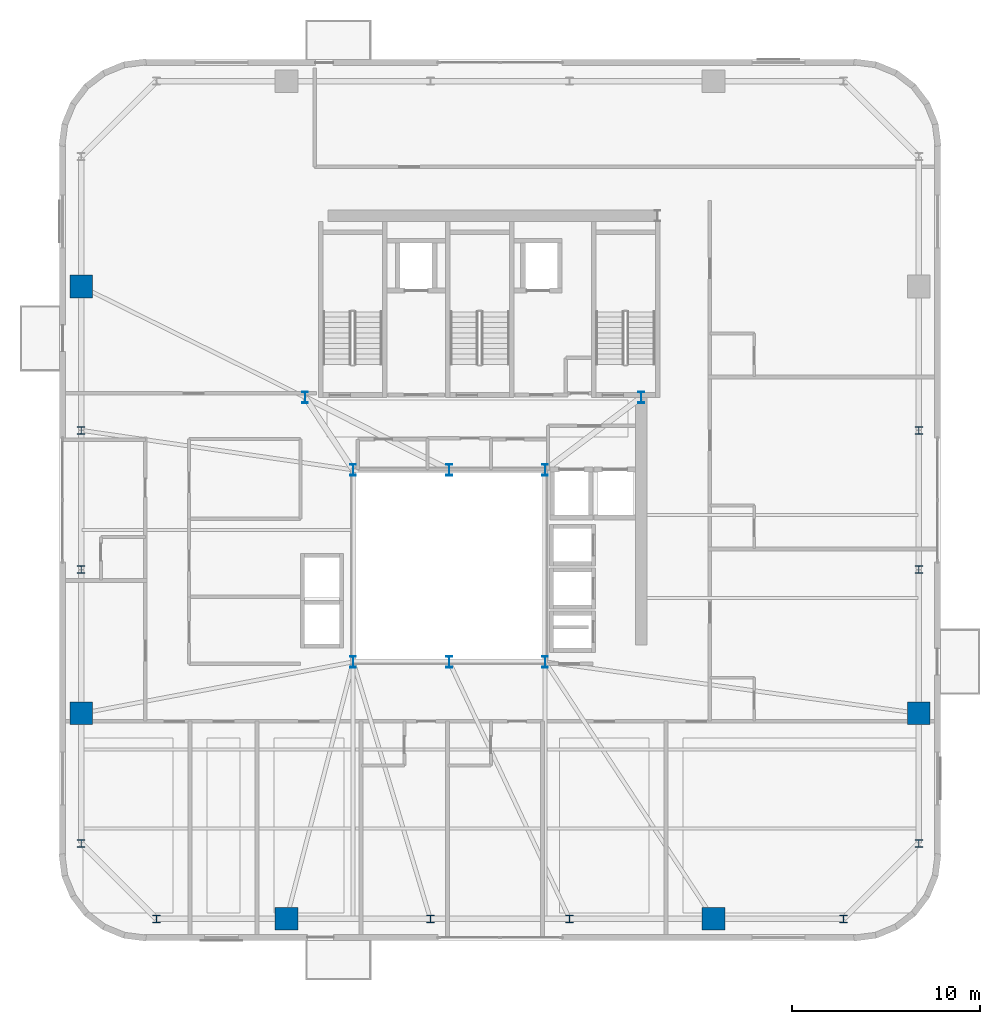
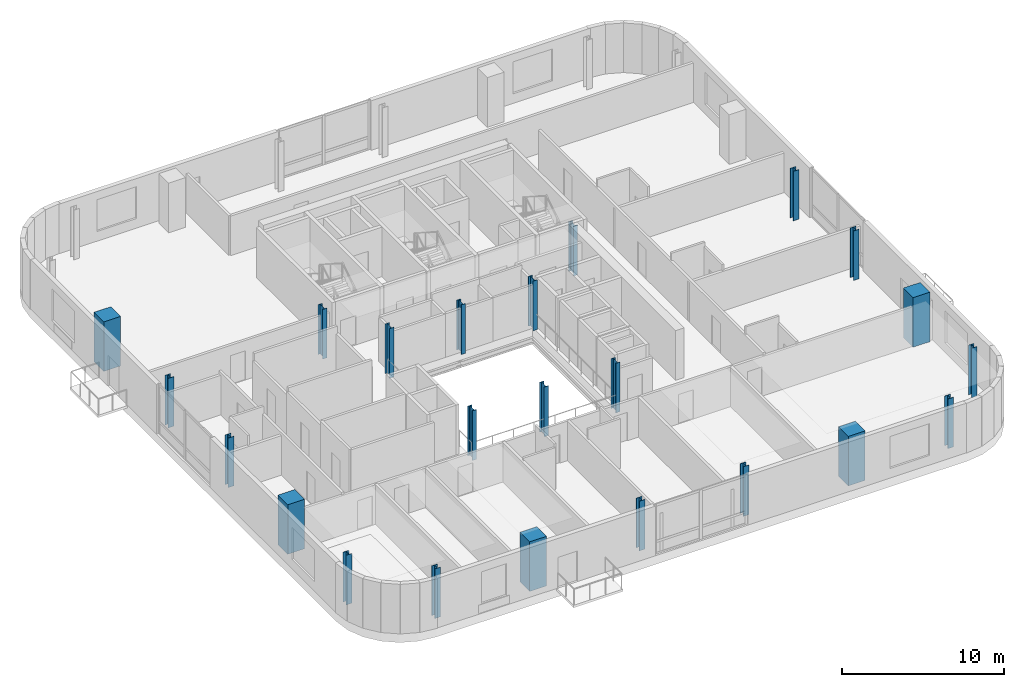
# One storey, part 1 of 15: 23 columns.
"""IFC4 building model written with IfcOpenShell, lengths in metres."""

from ifc_helpers import new_model, si_unit, direction, frame, origin, origin_2d, place, context, subcontext, project, spatial, rectangle, i_section, extrude, source, transform, mapped, material, material_profile, profile_set, type_object, element, save


model = new_model("IFC4")

# Units and contexts
model_context = context("Model", 3, precision=1e-05, world=origin(), true_north=direction((0.0, 1.0)))
body_context = subcontext(model_context, "Body", "Model", "MODEL_VIEW")
ifc_project = project(units=[si_unit("LENGTHUNIT", "METRE"), si_unit("AREAUNIT", "SQUARE_METRE"), si_unit("VOLUMEUNIT", "CUBIC_METRE"), si_unit("PLANEANGLEUNIT", "RADIAN"), si_unit("MASSUNIT", "GRAM", prefix="KILO")], contexts=[model_context])

# Site, building, storey
site_placement = place(None, origin())
site = spatial("IfcSite", under=ifc_project, at=site_placement, CompositionType="ELEMENT")
building_placement = place(site_placement, origin())
building = spatial("IfcBuilding", under=site, at=building_placement, Name="Vardaveli Station Tower", CompositionType="ELEMENT")
storey_placement = place(building_placement, frame((0.0, 0.0, 242.699951171875)))
storey = spatial("IfcBuildingStorey", under=building, at=storey_placement, Name="L62", CompositionType="ELEMENT", Elevation=242.699951171875)

# Columns
ifc_material_1 = material(Name="Structural steel S460M", Category="steel")
ifc_material_profile_1 = material_profile(ifc_material_1, i_section(OverallWidth=0.300048828125, OverallDepth=0.60009765625, WebThickness=0.015380859375, FlangeThickness=0.030029296875, FilletRadius=0.027099609375, at=origin_2d()), Name="HEB 600")
ifc_profile_set_1 = profile_set([ifc_material_profile_1], Name="Structural steel S460M")
column_type_1 = type_object("IfcColumnType", Name="COL-HEB600", PredefinedType="COLUMN", material=ifc_profile_set_1)
shared_shape_1 = source(origin(), body_context, "Body", "SweptSolid", [
    extrude(i_section(OverallWidth=0.300048828125, OverallDepth=0.60009765625, WebThickness=0.015380859375, FlangeThickness=0.030029296875, FilletRadius=0.027099609375, at=origin_2d()), origin(), (0.0, 0.0, 1.0), 3.72998046875),
])
for number, where, z_axis, x_axis, name in (
    (1, (31.199951171875, 16.60009765625, 0.0), (0.0, 0.0, 1.0), (1.0, 0.0, 0.0), "COL-L62-AC1"),
    (2, (36.300048828125, 16.60009765625, 0.0), (0.0, 0.0, 1.0), (1.0, 0.0, 0.0), "COL-L62-AC2"),
    (3, (41.39990234375, 16.60009765625, 0.0), (0.0, 0.0, 1.0), (1.0, 0.0, 0.0), "COL-L62-AC3"),
    (4, (41.39990234375, 26.800048828125, 0.0), (0.0, 0.0, 1.0), (1.0, 0.0, 0.0), "COL-L62-AC4"),
    (5, (36.300048828125, 26.800048828125, 0.0), (0.0, 0.0, 1.0), (1.0, 0.0, 0.0), "COL-L62-AC5"),
    (6, (31.199951171875, 26.800048828125, 0.0), (0.0, 0.0, 1.0), (1.0, 0.0, 0.0), "COL-L62-AC6"),
    (7, (28.64990234375, 30.64990234375, 0.0), (0.0, 0.0, 1.0), (1.0, 0.0, 0.0), "COL-L62-CC1"),
    (8, (46.5, 30.64990234375, 0.0), (0.0, 0.0, 1.0), (1.0, 0.0, 0.0), "COL-L62-CC2"),
):
    element("IfcColumn", number, at=place(storey_placement, frame(where, z_axis=z_axis, x_axis=x_axis)), inside=storey, type_object=column_type_1, Name=name, PredefinedType="COLUMN", context=body_context, shape_type="MappedRepresentation", body=[
        mapped(shared_shape_1, transform((0.0, 0.0, 0.0), scale=1.0)),
    ])
ifc_material_2 = material(Name="Concrete C50/60", Category="concrete")
ifc_material_profile_2 = material_profile(ifc_material_2, rectangle(XDim=1.199951171875, YDim=1.199951171875, at=origin_2d()), Name="MC 1200x1200")
ifc_profile_set_2 = profile_set([ifc_material_profile_2], Name="Concrete C50/60")
column_type_2 = type_object("IfcColumnType", Name="COL-MC-1200", PredefinedType="COLUMN", material=ifc_profile_set_2)
shared_shape_2 = source(origin(), body_context, "Body", "SweptSolid", [
    extrude(rectangle(XDim=1.199951171875, YDim=1.199951171875, at=origin_2d()), origin(), (0.0, 0.0, 1.0), 3.72998046875),
])
for number, where, z_axis, x_axis, name in (
    (9, (27.659912109375, 2.949951171875, 0.0), (0.0, 0.0, 1.0), (1.0, 0.0, 0.0), "COL-L62-MC1"),
    (10, (50.340087890625, 2.949951171875, 0.0), (0.0, 0.0, 1.0), (1.0, 0.0, 0.0), "COL-L62-MC2"),
    (11, (61.25, 13.860107421875, 0.0), (0.0, 0.0, 1.0), (1.0, 0.0, 0.0), "COL-L62-MC3"),
    (12, (16.75, 36.5400390625, 0.0), (0.0, 0.0, 1.0), (1.0, 0.0, 0.0), "COL-L62-MC7"),
    (13, (16.75, 13.860107421875, 0.0), (0.0, 0.0, 1.0), (1.0, 0.0, 0.0), "COL-L62-MC8"),
):
    element("IfcColumn", number, at=place(storey_placement, frame(where, z_axis=z_axis, x_axis=x_axis)), inside=storey, type_object=column_type_2, Name=name, PredefinedType="COLUMN", context=body_context, shape_type="MappedRepresentation", body=[
        mapped(shared_shape_2, transform((0.0, 0.0, 0.0), scale=1.0)),
    ])
ifc_material_profile_3 = material_profile(ifc_material_1, i_section(OverallWidth=0.405029296875, OverallDepth=0.403076171875, WebThickness=0.017822265625, FlangeThickness=0.02783203125, FilletRadius=0.014892578125, at=origin_2d()), Name="HD 400x287")
ifc_profile_set_3 = profile_set([ifc_material_profile_3], Name="Structural steel S460M")
column_type_3 = type_object("IfcColumnType", Name="COL-HD287", PredefinedType="COLUMN", material=ifc_profile_set_3)
shared_shape_3 = source(origin(), body_context, "Body", "SweptSolid", [
    extrude(i_section(OverallWidth=0.405029296875, OverallDepth=0.403076171875, WebThickness=0.017822265625, FlangeThickness=0.02783203125, FilletRadius=0.014892578125, at=origin_2d()), origin(), (0.0, 0.0, 1.0), 3.72998046875),
])
for number, where, z_axis, x_axis, name in (
    (14, (20.75, 2.949951171875, 0.0), (0.0, 0.0, 1.0), (1.0, 0.0, 0.0), "COL-L62-PC01"),
    (15, (35.300048828125, 2.949951171875, 0.0), (0.0, 0.0, 1.0), (1.0, 0.0, 0.0), "COL-L62-PC02"),
    (16, (42.699951171875, 2.949951171875, 0.0), (0.0, 0.0, 1.0), (1.0, 0.0, 0.0), "COL-L62-PC03"),
    (17, (57.25, 2.949951171875, 0.0), (0.0, 0.0, 1.0), (1.0, 0.0, 0.0), "COL-L62-PC04"),
    (18, (61.25, 6.949951171875, 0.0), (0.0, 0.0, 1.0), (1.0, 0.0, 0.0), "COL-L62-PC05"),
    (19, (61.25, 21.5, 0.0), (0.0, 0.0, 1.0), (1.0, 0.0, 0.0), "COL-L62-PC06"),
    (20, (61.25, 28.89990234375, 0.0), (0.0, 0.0, 1.0), (1.0, 0.0, 0.0), "COL-L62-PC07"),
    (21, (16.75, 28.89990234375, 0.0), (0.0, 0.0, 1.0), (1.0, 0.0, 0.0), "COL-L62-PC14"),
    (22, (16.75, 21.5, 0.0), (0.0, 0.0, 1.0), (1.0, 0.0, 0.0), "COL-L62-PC15"),
    (23, (16.75, 6.949951171875, 0.0), (0.0, 0.0, 1.0), (1.0, 0.0, 0.0), "COL-L62-PC16"),
):
    element("IfcColumn", number, at=place(storey_placement, frame(where, z_axis=z_axis, x_axis=x_axis)), inside=storey, type_object=column_type_3, Name=name, PredefinedType="COLUMN", context=body_context, shape_type="MappedRepresentation", body=[
        mapped(shared_shape_3, transform((0.0, 0.0, 0.0), scale=1.0)),
    ])

save(model, "model.ifc")
